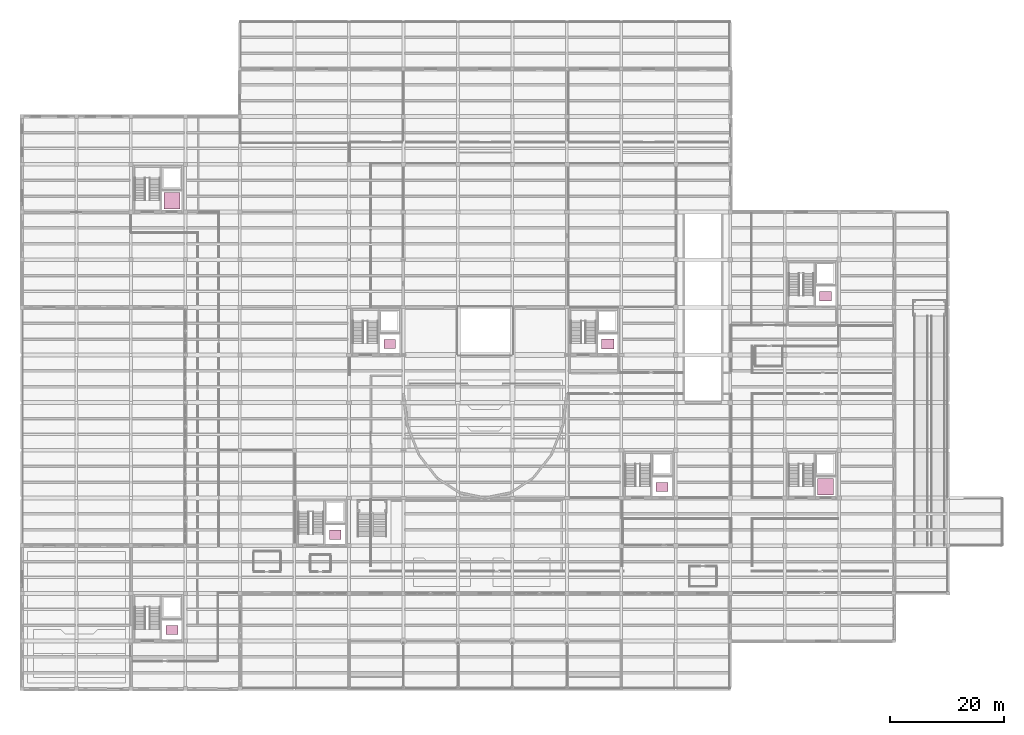
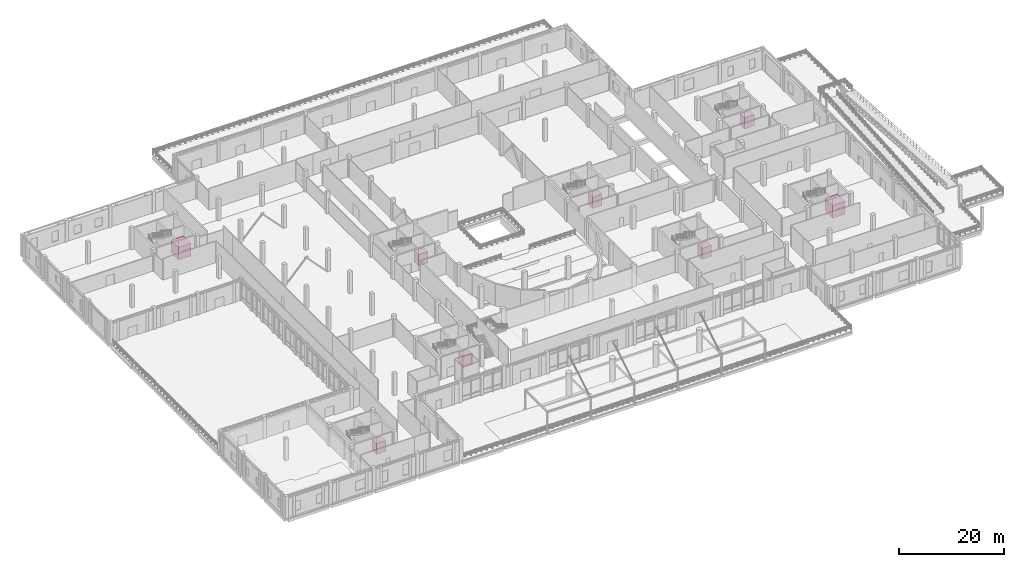
# One storey, part 71 of 71: 8 transport elements.
"""IFC4 building model written with IfcOpenShell, lengths in metres."""

from ifc_helpers import new_model, si_unit, direction, frame, origin, origin_2d, place, context, subcontext, project, spatial, rectangle, extrude, material, type_object, element, save


model = new_model("IFC4")

# Units and contexts
model_context = context("Model", 3, precision=1e-05, world=origin(), true_north=direction((0.0, 1.0)))
body_context = subcontext(model_context, "Body", "Model", "MODEL_VIEW")
ifc_project = project(units=[si_unit("LENGTHUNIT", "METRE"), si_unit("AREAUNIT", "SQUARE_METRE"), si_unit("VOLUMEUNIT", "CUBIC_METRE"), si_unit("PLANEANGLEUNIT", "RADIAN"), si_unit("MASSUNIT", "GRAM", prefix="KILO")], contexts=[model_context])

# Site, building, storey
site_placement = place(None, origin())
site = spatial("IfcSite", under=ifc_project, at=site_placement, CompositionType="ELEMENT")
building_placement = place(site_placement, origin())
building = spatial("IfcBuilding", under=site, at=building_placement, Name="Lornevale Opera House", CompositionType="ELEMENT")
storey_placement = place(building_placement, origin())
storey = spatial("IfcBuildingStorey", under=building, at=storey_placement, Name="L01", CompositionType="ELEMENT", Elevation=0.0)

# Transport elements
ifc_material = material(Name="Brushed Stainless Cab Steel", Category="steel")
transport_element_type_1 = type_object("IfcTransportElementType", Name="Backstage Scenery Freight Lift 4500kg", PredefinedType="ELEVATOR", material=ifc_material)
for number, where, z_axis, x_axis, name in (
    (1, (26.39990234375, 85.949951171875, 0.0), (0.0, 0.0, 1.0), (1.0, 0.0, 0.0), "Backstage Scenery Freight Lift 4500kg L-B1"),
    (2, (141.60009765625, 35.550048828125, 0.0), (0.0, 0.0, 1.0), (1.0, 0.0, 0.0), "Backstage Scenery Freight Lift 4500kg L-B2"),
):
    element("IfcTransportElement", number, at=place(storey_placement, frame(where, z_axis=z_axis, x_axis=x_axis)), inside=storey, type_object=transport_element_type_1, Name=name, PredefinedType="ELEVATOR", context=body_context, shape_type="SweptSolid", body=[
        extrude(rectangle(XDim=2.800048828125, YDim=2.89990234375, at=origin_2d()), origin(), (0.0, 0.0, 1.0), 3.0),
    ])
transport_element_type_2 = type_object("IfcTransportElementType", Name="Firefighter Stretcher Elevator 2000kg", PredefinedType="ELEVATOR", material=ifc_material)
for number, where, z_axis, x_axis, name in (
    (3, (103.199951171875, 60.75, 0.0), (0.0, 0.0, 1.0), (1.0, 0.0, 0.0), "Firefighter Stretcher Elevator 2000kg L-FF1"),
    (4, (141.60009765625, 69.14990234375, 0.0), (0.0, 0.0, 1.0), (1.0, 0.0, 0.0), "Firefighter Stretcher Elevator 2000kg L-FF2"),
):
    element("IfcTransportElement", number, at=place(storey_placement, frame(where, z_axis=z_axis, x_axis=x_axis)), inside=storey, type_object=transport_element_type_2, Name=name, PredefinedType="ELEVATOR", context=body_context, shape_type="SweptSolid", body=[
        extrude(rectangle(XDim=2.14990234375, YDim=1.75, at=origin_2d()), origin(), (0.0, 0.0, 1.0), 2.60009765625),
    ])
transport_element_type_3 = type_object("IfcTransportElementType", Name="Passenger Stretcher Elevator 1800kg", PredefinedType="ELEVATOR", material=ifc_material)
for number, where, z_axis, x_axis, name in (
    (5, (55.199951171875, 27.14990234375, 0.0), (0.0, 0.0, 1.0), (1.0, 0.0, 0.0), "Passenger Stretcher Elevator 1800kg L-P1"),
    (6, (112.800048828125, 35.550048828125, 0.0), (0.0, 0.0, 1.0), (1.0, 0.0, 0.0), "Passenger Stretcher Elevator 1800kg L-P2"),
    (7, (26.39990234375, 10.35009765625, 0.0), (0.0, 0.0, 1.0), (1.0, 0.0, 0.0), "Passenger Stretcher Elevator 1800kg L-P3"),
    (8, (64.800048828125, 60.75, 0.0), (0.0, 0.0, 1.0), (1.0, 0.0, 0.0), "Passenger Stretcher Elevator 1800kg L-P4"),
):
    element("IfcTransportElement", number, at=place(storey_placement, frame(where, z_axis=z_axis, x_axis=x_axis)), inside=storey, type_object=transport_element_type_3, Name=name, PredefinedType="ELEVATOR", context=body_context, shape_type="SweptSolid", body=[
        extrude(rectangle(XDim=2.10009765625, YDim=1.64990234375, at=origin_2d()), origin(), (0.0, 0.0, 1.0), 2.60009765625),
    ])

save(model, "model.ifc")
